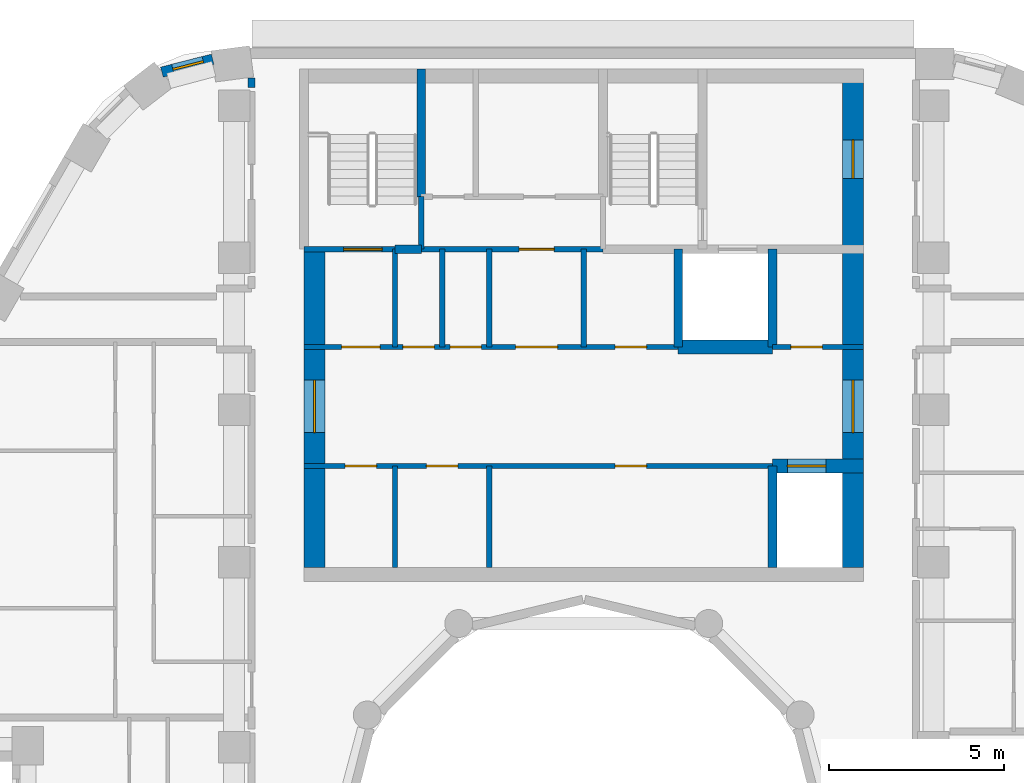
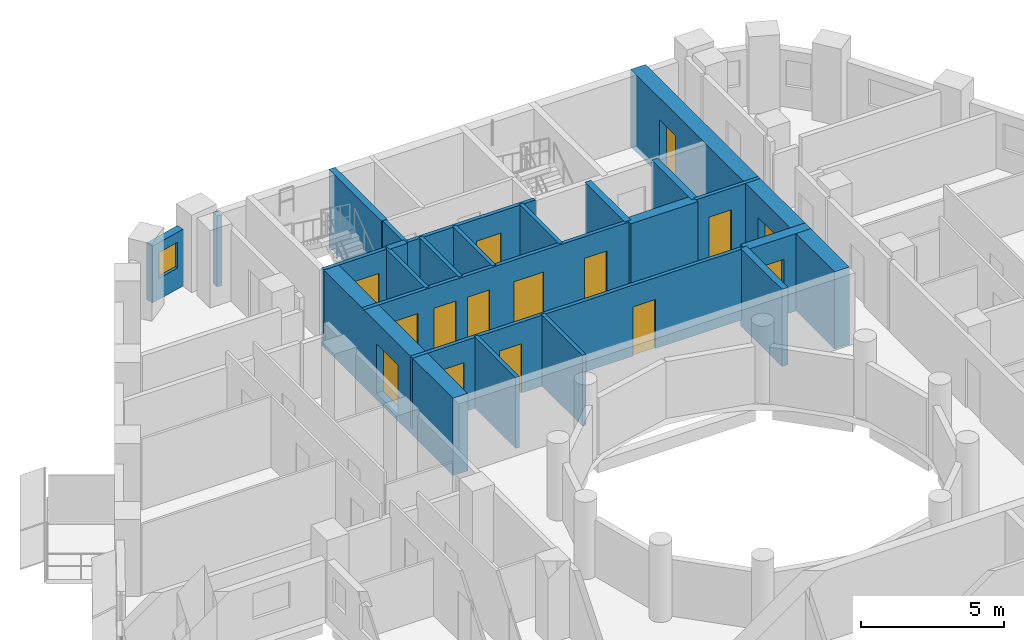
# One storey, part 7 of 14: 23 walls, 15 doors, 1 window, 16 openings.
"""IFC4 building model written with IfcOpenShell, lengths in metres."""

from ifc_helpers import new_model, si_unit, direction, frame, frame_2d, origin, place, context, subcontext, project, spatial, rectangle, extrude, material, layer, layer_set, type_object, element, fill, save


model = new_model("IFC4")

# Units and contexts
model_context = context("Model", 3, precision=1e-05, world=origin(), true_north=direction((0.0, 1.0)))
body_context = subcontext(model_context, "Body", "Model", "MODEL_VIEW")
ifc_project = project(units=[si_unit("LENGTHUNIT", "METRE"), si_unit("AREAUNIT", "SQUARE_METRE"), si_unit("VOLUMEUNIT", "CUBIC_METRE"), si_unit("PLANEANGLEUNIT", "RADIAN"), si_unit("MASSUNIT", "GRAM", prefix="KILO")], contexts=[model_context])

# Site, building, storey
site_placement = place(None, origin())
site = spatial("IfcSite", under=ifc_project, at=site_placement, CompositionType="ELEMENT")
building_placement = place(site_placement, origin())
building = spatial("IfcBuilding", under=site, at=building_placement, Name="Nakaniwa Court", CompositionType="ELEMENT")
storey_placement = place(building_placement, frame((0.0, 0.0, 259.199951171875)))
storey = spatial("IfcBuildingStorey", under=building, at=storey_placement, Name="L68", CompositionType="ELEMENT", Elevation=259.199951171875)

# Wall
ifc_material_1 = material(Name="Acoustic double stud partition")
ifc_layer_1 = layer(ifc_material_1, 0.199951171875)
ifc_layer_set_1 = layer_set([ifc_layer_1], Name="Acoustic double stud partition")
wall_type_1 = type_object("IfcWallType", Name="Acoustic double stud partition 200", PredefinedType="PARTITIONING", material=ifc_layer_set_1)
wall_1_placement = place(storey_placement, frame((70.5, 101.527099609375, 0.0), z_axis=(0.0, 0.0, 1.0), x_axis=(0.0, 1.0, 0.0)))
element("IfcWall", 1, at=wall_1_placement, inside=storey, type_object=wall_type_1, Name="Partition PW-096", PredefinedType="PARTITIONING", context=body_context, shape_type="SweptSolid", body=[
    extrude(rectangle(XDim=0.273681640625, YDim=0.199951171875, at=frame_2d((0.13671875, 0.0))), origin(), (0.0, 0.0, 1.0), 3.025146484375),
])

# Wall, opening, window
ifc_material_2 = material(Name="Charcoal ceramic cladding")
ifc_layer_2 = layer(ifc_material_2, 0.02, Name="Ceramic cladding")
ifc_material_3 = material(Name="Ventilated air cavity")
ifc_layer_3 = layer(ifc_material_3, 0.04, ventilated=True, Name="Ventilated cavity")
ifc_material_4 = material(Name="Mineral wool insulation")
ifc_layer_4 = layer(ifc_material_4, 0.1, Name="Insulation")
ifc_material_5 = material(Name="Cement bonded sheathing board")
ifc_layer_5 = layer(ifc_material_5, 0.012, Name="Sheathing")
ifc_material_6 = material(Name="Cold-formed galvanised stud frame with mineral wool infill")
ifc_layer_6 = layer(ifc_material_6, 0.1, Name="Stud frame")
ifc_material_7 = material(Name="Fire-rated gypsum plasterboard lining")
ifc_layer_7 = layer(ifc_material_7, 0.028, Name="Lining")
ifc_layer_set_2 = layer_set([ifc_layer_2, ifc_layer_3, ifc_layer_4, ifc_layer_5, ifc_layer_6, ifc_layer_7], Name="Charcoal ceramic faced external wall system")
wall_type_2 = type_object("IfcWallType", Name="Black ceramic faced external wall 300", PredefinedType="SOLIDWALL", material=ifc_layer_set_2)
wall_2_placement = place(storey_placement, frame((69.386474609375, 102.333251953125, 0.0), z_axis=(0.0, 0.0, 1.0), x_axis=(-0.968895303033, -0.247470991757, 0.0)))
wall_2 = element("IfcWall", 2, at=wall_2_placement, inside=storey, type_object=wall_type_2, Name="L68 external wall 09", PredefinedType="SOLIDWALL", context=body_context, shape_type="SweptSolid", body=[
    extrude(rectangle(XDim=1.50048828125, YDim=0.300048828125, at=frame_2d((0.750244140625, 0.0))), origin(), (0.0, 0.0, 1.0), 2.425048828125),
])
opening_1_placement = place(wall_2_placement, frame((0.27587890625, 0.0, 0.89990234375)))
opening_1 = element("IfcOpeningElement", 3, at=opening_1_placement, cuts=wall_2, Name="Opening W9.07", PredefinedType="OPENING", context=body_context, shape_type="SweptSolid", body=[
    extrude(rectangle(XDim=0.89990234375, YDim=1.10009765625, at=frame_2d((0.449951171875, 0.550048828125))), frame((0.0, 0.159912109375, 0.0), z_axis=(0.0, -1.0, 0.0), x_axis=(1.0, 0.0, 0.0)), (0.0, 0.0, 1.0), 0.320068359375),
])
ifc_material_8 = material(Name="Black anodised aluminium frame with dark low-E laminated double glazing", Category="aluminium")
window_type = type_object("IfcWindowType", Name="Dark glass window 900x1100 sill 900", PartitioningType="SINGLE_PANEL", PredefinedType="WINDOW", material=ifc_material_8)
window_placement = place(opening_1_placement, origin())
window = element("IfcWindow", 4, at=window_placement, inside=storey, type_object=window_type, Name="L68 habitable room window 09-0", OverallHeight=1.10009765625, OverallWidth=0.89990234375, PartitioningType="SINGLE_PANEL", PredefinedType="WINDOW", context=body_context, shape_type="SweptSolid", body=[
    extrude(rectangle(XDim=0.89990234375, YDim=1.10009765625, at=frame_2d((0.449951171875, 0.550048828125))), frame((0.0, 0.030029296875, 0.0), z_axis=(0.0, -1.0, 0.0), x_axis=(1.0, 0.0, 0.0)), (0.0, 0.0, 1.0), 0.06005859375),
])
fill(opening_1, window)

# Walls
ifc_material_9 = material(Name="Blockwork partition", Category="masonry")
ifc_layer_8 = layer(ifc_material_9, 0.14990234375)
ifc_layer_set_3 = layer_set([ifc_layer_8], Name="Blockwork partition")
wall_type_3 = type_object("IfcWallType", Name="Blockwork partition 150", PredefinedType="PARTITIONING", material=ifc_layer_set_3)
wall_3_placement = place(storey_placement, frame((74.60009765625, 87.800048828125, 0.0), z_axis=(0.0, 0.0, 1.0), x_axis=(0.0, 1.0, 0.0)))
element("IfcWall", 5, at=wall_3_placement, inside=storey, type_object=wall_type_3, Name="Partition PW-001", PredefinedType="PARTITIONING", context=body_context, shape_type="SweptSolid", body=[
    extrude(rectangle(XDim=2.89990234375, YDim=0.14990234375, at=frame_2d((1.449951171875, 0.0))), origin(), (0.0, 0.0, 1.0), 3.025146484375),
])
wall_4_placement = place(storey_placement, frame((74.60009765625, 94.10009765625, 0.0), z_axis=(0.0, 0.0, 1.0), x_axis=(0.0, 1.0, 0.0)))
element("IfcWall", 6, at=wall_4_placement, inside=storey, type_object=wall_type_3, Name="Partition PW-002", PredefinedType="PARTITIONING", context=body_context, shape_type="SweptSolid", body=[
    extrude(rectangle(XDim=2.7998046875, YDim=0.14990234375, at=frame_2d((1.39990234375, 0.0))), origin(), (0.0, 0.0, 1.0), 3.025146484375),
])

# Wall, openings, doors
wall_5_placement = place(storey_placement, frame((85.39990234375, 90.699951171875, 0.0), z_axis=(0.0, 0.0, 1.0), x_axis=(-1.0, 0.0, 0.0)))
wall_5 = element("IfcWall", 7, at=wall_5_placement, inside=storey, type_object=wall_type_3, Name="Partition PW-003", PredefinedType="PARTITIONING", context=body_context, shape_type="SweptSolid", body=[
    extrude(rectangle(XDim=13.39990234375, YDim=0.14990234375, at=frame_2d((6.699951171875, 0.0))), origin(), (0.0, 0.0, 1.0), 3.025146484375),
])
opening_2_placement = place(wall_5_placement, frame((11.324951171875, 0.0, 0.0)))
opening_2 = element("IfcOpeningElement", 8, at=opening_2_placement, cuts=wall_5, Name="Opening D-05-01", PredefinedType="OPENING", context=body_context, shape_type="SweptSolid", body=[
    extrude(rectangle(XDim=0.89990234375, YDim=2.10009765625, at=frame_2d((0.449951171875, 1.050048828125))), frame((0.0, 0.0849609375, 0.0), z_axis=(0.0, -1.0, 0.0), x_axis=(1.0, 0.0, 0.0)), (0.0, 0.0, 1.0), 0.169921875),
])
opening_3_placement = place(wall_5_placement, frame((9.0, 0.0, 0.0)))
opening_3 = element("IfcOpeningElement", 9, at=opening_3_placement, cuts=wall_5, Name="Opening D-05-02", PredefinedType="OPENING", context=body_context, shape_type="SweptSolid", body=[
    extrude(rectangle(XDim=0.89990234375, YDim=2.10009765625, at=frame_2d((0.449951171875, 1.050048828125))), frame((0.0, 0.0849609375, 0.0), z_axis=(0.0, -1.0, 0.0), x_axis=(1.0, 0.0, 0.0)), (0.0, 0.0, 1.0), 0.169921875),
])
opening_4_placement = place(wall_5_placement, frame((3.60009765625, 0.0, 0.0)))
opening_4 = element("IfcOpeningElement", 10, at=opening_4_placement, cuts=wall_5, Name="Opening D-05-03", PredefinedType="OPENING", context=body_context, shape_type="SweptSolid", body=[
    extrude(rectangle(XDim=0.89990234375, YDim=2.10009765625, at=frame_2d((0.449951171875, 1.050048828125))), frame((0.0, 0.0849609375, 0.0), z_axis=(0.0, -1.0, 0.0), x_axis=(1.0, 0.0, 0.0)), (0.0, 0.0, 1.0), 0.169921875),
])
ifc_material_10 = material(Name="Fire rated steel door set", Category="steel")
door_type_1 = type_object("IfcDoorType", Name="Service room door 900", OperationType="NOTDEFINED", PredefinedType="DOOR", material=ifc_material_10)
door_1_placement = place(opening_2_placement, origin())
door_1 = element("IfcDoor", 11, at=door_1_placement, inside=storey, type_object=door_type_1, Name="Door D-05-01 L68-001", OperationType="SINGLE_SWING_RIGHT", OverallHeight=2.10009765625, OverallWidth=0.89990234375, PredefinedType="DOOR", context=body_context, shape_type="SweptSolid", body=[
    extrude(rectangle(XDim=0.89990234375, YDim=2.10009765625, at=frame_2d((0.449951171875, 1.050048828125))), frame((0.0, 0.02490234375, 0.0), z_axis=(0.0, -1.0, 0.0), x_axis=(1.0, 0.0, 0.0)), (0.0, 0.0, 1.0), 0.050048828125),
])
fill(opening_2, door_1)
door_2_placement = place(opening_3_placement, origin())
door_2 = element("IfcDoor", 12, at=door_2_placement, inside=storey, type_object=door_type_1, Name="Door D-05-02 L68-002", OperationType="SINGLE_SWING_LEFT", OverallHeight=2.10009765625, OverallWidth=0.89990234375, PredefinedType="DOOR", context=body_context, shape_type="SweptSolid", body=[
    extrude(rectangle(XDim=0.89990234375, YDim=2.10009765625, at=frame_2d((0.449951171875, 1.050048828125))), frame((0.0, 0.02490234375, 0.0), z_axis=(0.0, -1.0, 0.0), x_axis=(1.0, 0.0, 0.0)), (0.0, 0.0, 1.0), 0.050048828125),
])
fill(opening_3, door_2)
door_3_placement = place(opening_4_placement, origin())
door_3 = element("IfcDoor", 13, at=door_3_placement, inside=storey, type_object=door_type_1, Name="Door D-05-03 L68-003", OperationType="SINGLE_SWING_RIGHT", OverallHeight=2.10009765625, OverallWidth=0.89990234375, PredefinedType="DOOR", context=body_context, shape_type="SweptSolid", body=[
    extrude(rectangle(XDim=0.89990234375, YDim=2.10009765625, at=frame_2d((0.449951171875, 1.050048828125))), frame((0.0, 0.02490234375, 0.0), z_axis=(0.0, -1.0, 0.0), x_axis=(1.0, 0.0, 0.0)), (0.0, 0.0, 1.0), 0.050048828125),
])
fill(opening_4, door_3)

# Walls
wall_6_placement = place(storey_placement, frame((77.300048828125, 87.800048828125, 0.0), z_axis=(0.0, 0.0, 1.0), x_axis=(0.0, 1.0, 0.0)))
element("IfcWall", 14, at=wall_6_placement, inside=storey, type_object=wall_type_3, Name="Partition PW-009", PredefinedType="PARTITIONING", context=body_context, shape_type="SweptSolid", body=[
    extrude(rectangle(XDim=2.89990234375, YDim=0.14990234375, at=frame_2d((1.449951171875, 0.0))), origin(), (0.0, 0.0, 1.0), 3.025146484375),
])
wall_7_placement = place(storey_placement, frame((77.300048828125, 94.10009765625, 0.0), z_axis=(0.0, 0.0, 1.0), x_axis=(0.0, 1.0, 0.0)))
element("IfcWall", 15, at=wall_7_placement, inside=storey, type_object=wall_type_3, Name="Partition PW-010", PredefinedType="PARTITIONING", context=body_context, shape_type="SweptSolid", body=[
    extrude(rectangle(XDim=2.7998046875, YDim=0.14990234375, at=frame_2d((1.39990234375, 0.0))), origin(), (0.0, 0.0, 1.0), 3.025146484375),
])

# Wall, openings, doors
wall_8_placement = place(storey_placement, frame((72.0, 94.10009765625, 0.0), z_axis=(0.0, 0.0, 1.0), x_axis=(1.0, 0.0, 0.0)))
wall_8 = element("IfcWall", 16, at=wall_8_placement, inside=storey, type_object=wall_type_3, Name="Partition PW-011", PredefinedType="PARTITIONING", context=body_context, shape_type="SweptSolid", body=[
    extrude(rectangle(XDim=10.702880859375, YDim=0.14990234375, at=frame_2d((5.3515625, 0.0))), origin(), (0.0, 0.0, 1.0), 3.025146484375),
])
opening_5_placement = place(wall_8_placement, frame((1.074951171875, 0.0, 0.0)))
opening_5 = element("IfcOpeningElement", 17, at=opening_5_placement, cuts=wall_8, Name="Opening D-08-01", PredefinedType="OPENING", context=body_context, shape_type="SweptSolid", body=[
    extrude(rectangle(XDim=1.10009765625, YDim=2.10009765625, at=frame_2d((0.550048828125, 1.050048828125))), frame((0.0, 0.0849609375, 0.0), z_axis=(0.0, -1.0, 0.0), x_axis=(1.0, 0.0, 0.0)), (0.0, 0.0, 1.0), 0.169921875),
])
opening_6_placement = place(wall_8_placement, frame((2.824951171875, 0.0, 0.0)))
opening_6 = element("IfcOpeningElement", 18, at=opening_6_placement, cuts=wall_8, Name="Opening D-05-04", PredefinedType="OPENING", context=body_context, shape_type="SweptSolid", body=[
    extrude(rectangle(XDim=0.89990234375, YDim=2.10009765625, at=frame_2d((0.449951171875, 1.050048828125))), frame((0.0, 0.0849609375, 0.0), z_axis=(0.0, -1.0, 0.0), x_axis=(1.0, 0.0, 0.0)), (0.0, 0.0, 1.0), 0.169921875),
])
opening_7_placement = place(wall_8_placement, frame((4.175048828125, 0.0, 0.0)))
opening_7 = element("IfcOpeningElement", 19, at=opening_7_placement, cuts=wall_8, Name="Opening D-05-05", PredefinedType="OPENING", context=body_context, shape_type="SweptSolid", body=[
    extrude(rectangle(XDim=0.89990234375, YDim=2.10009765625, at=frame_2d((0.449951171875, 1.050048828125))), frame((0.0, 0.0849609375, 0.0), z_axis=(0.0, -1.0, 0.0), x_axis=(1.0, 0.0, 0.0)), (0.0, 0.0, 1.0), 0.169921875),
])
opening_8_placement = place(wall_8_placement, frame((6.050048828125, 0.0, 0.0)))
opening_8 = element("IfcOpeningElement", 20, at=opening_8_placement, cuts=wall_8, Name="Opening D-06-01", PredefinedType="OPENING", context=body_context, shape_type="SweptSolid", body=[
    extrude(rectangle(XDim=1.199951171875, YDim=2.10009765625, at=frame_2d((0.60009765625, 1.050048828125))), frame((0.0, 0.0849609375, 0.0), z_axis=(0.0, -1.0, 0.0), x_axis=(1.0, 0.0, 0.0)), (0.0, 0.0, 1.0), 0.169921875),
])
opening_9_placement = place(wall_8_placement, frame((8.89990234375, 0.0, 0.0)))
opening_9 = element("IfcOpeningElement", 21, at=opening_9_placement, cuts=wall_8, Name="Opening D-05-06", PredefinedType="OPENING", context=body_context, shape_type="SweptSolid", body=[
    extrude(rectangle(XDim=0.89990234375, YDim=2.10009765625, at=frame_2d((0.449951171875, 1.050048828125))), frame((0.0, 0.0849609375, 0.0), z_axis=(0.0, -1.0, 0.0), x_axis=(1.0, 0.0, 0.0)), (0.0, 0.0, 1.0), 0.169921875),
])
ifc_material_11 = material(Name="Fire rated steel double door set", Category="steel")
door_type_2 = type_object("IfcDoorType", Name="Service passage double door 1200", OperationType="NOTDEFINED", PredefinedType="DOOR", material=ifc_material_11)
door_4_placement = place(opening_8_placement, origin())
door_4 = element("IfcDoor", 22, at=door_4_placement, inside=storey, type_object=door_type_2, Name="Door D-06-01 L68-007", OperationType="DOUBLE_DOOR_SINGLE_SWING", OverallHeight=2.10009765625, OverallWidth=1.199951171875, PredefinedType="DOOR", context=body_context, shape_type="SweptSolid", body=[
    extrude(rectangle(XDim=1.199951171875, YDim=2.10009765625, at=frame_2d((0.60009765625, 1.050048828125))), frame((0.0, 0.02490234375, 0.0), z_axis=(0.0, -1.0, 0.0), x_axis=(1.0, 0.0, 0.0)), (0.0, 0.0, 1.0), 0.050048828125),
])
fill(opening_8, door_4)
door_5_placement = place(opening_6_placement, origin())
door_5 = element("IfcDoor", 23, at=door_5_placement, inside=storey, type_object=door_type_1, Name="Door D-05-04 L68-005", OperationType="SINGLE_SWING_RIGHT", OverallHeight=2.10009765625, OverallWidth=0.89990234375, PredefinedType="DOOR", context=body_context, shape_type="SweptSolid", body=[
    extrude(rectangle(XDim=0.89990234375, YDim=2.10009765625, at=frame_2d((0.449951171875, 1.050048828125))), frame((0.0, 0.02490234375, 0.0), z_axis=(0.0, -1.0, 0.0), x_axis=(1.0, 0.0, 0.0)), (0.0, 0.0, 1.0), 0.050048828125),
])
fill(opening_6, door_5)
door_6_placement = place(opening_7_placement, origin())
door_6 = element("IfcDoor", 24, at=door_6_placement, inside=storey, type_object=door_type_1, Name="Door D-05-05 L68-006", OperationType="SINGLE_SWING_LEFT", OverallHeight=2.10009765625, OverallWidth=0.89990234375, PredefinedType="DOOR", context=body_context, shape_type="SweptSolid", body=[
    extrude(rectangle(XDim=0.89990234375, YDim=2.10009765625, at=frame_2d((0.449951171875, 1.050048828125))), frame((0.0, 0.02490234375, 0.0), z_axis=(0.0, -1.0, 0.0), x_axis=(1.0, 0.0, 0.0)), (0.0, 0.0, 1.0), 0.050048828125),
])
fill(opening_7, door_6)
door_7_placement = place(opening_9_placement, origin())
door_7 = element("IfcDoor", 25, at=door_7_placement, inside=storey, type_object=door_type_1, Name="Door D-05-06 L68-008", OperationType="SINGLE_SWING_LEFT", OverallHeight=2.10009765625, OverallWidth=0.89990234375, PredefinedType="DOOR", context=body_context, shape_type="SweptSolid", body=[
    extrude(rectangle(XDim=0.89990234375, YDim=2.10009765625, at=frame_2d((0.449951171875, 1.050048828125))), frame((0.0, 0.02490234375, 0.0), z_axis=(0.0, -1.0, 0.0), x_axis=(1.0, 0.0, 0.0)), (0.0, 0.0, 1.0), 0.050048828125),
])
fill(opening_9, door_7)
door_type_3 = type_object("IfcDoorType", Name="Stair lobby door 1100", OperationType="NOTDEFINED", PredefinedType="DOOR", material=ifc_material_10)
door_8_placement = place(opening_5_placement, origin())
door_8 = element("IfcDoor", 26, at=door_8_placement, inside=storey, type_object=door_type_3, Name="Door D-08-01 L68-004", OperationType="SINGLE_SWING_LEFT", OverallHeight=2.10009765625, OverallWidth=1.10009765625, PredefinedType="DOOR", context=body_context, shape_type="SweptSolid", body=[
    extrude(rectangle(XDim=1.10009765625, YDim=2.10009765625, at=frame_2d((0.550048828125, 1.050048828125))), frame((0.0, 0.02490234375, 0.0), z_axis=(0.0, -1.0, 0.0), x_axis=(1.0, 0.0, 0.0)), (0.0, 0.0, 1.0), 0.050048828125),
])
fill(opening_5, door_8)

# Wall, opening, door
wall_9_placement = place(storey_placement, frame((85.39697265625, 94.10009765625, 0.0), z_axis=(0.0, 0.0, 1.0), x_axis=(1.0, 0.0, 0.0)))
wall_9 = element("IfcWall", 27, at=wall_9_placement, inside=storey, type_object=wall_type_3, Name="Partition PW-012", PredefinedType="PARTITIONING", context=body_context, shape_type="SweptSolid", body=[
    extrude(rectangle(XDim=2.60302734375, YDim=0.14990234375, at=frame_2d((1.301513671875, 0.0))), origin(), (0.0, 0.0, 1.0), 3.025146484375),
])
opening_10_placement = place(wall_9_placement, frame((0.528076171875, 0.0, 0.0)))
opening_10 = element("IfcOpeningElement", 28, at=opening_10_placement, cuts=wall_9, Name="Opening D-05-07", PredefinedType="OPENING", context=body_context, shape_type="SweptSolid", body=[
    extrude(rectangle(XDim=0.89990234375, YDim=2.10009765625, at=frame_2d((0.449951171875, 1.050048828125))), frame((0.0, 0.0849609375, 0.0), z_axis=(0.0, -1.0, 0.0), x_axis=(1.0, 0.0, 0.0)), (0.0, 0.0, 1.0), 0.169921875),
])
door_9_placement = place(opening_10_placement, origin())
door_9 = element("IfcDoor", 29, at=door_9_placement, inside=storey, type_object=door_type_1, Name="Door D-05-07 L68-009", OperationType="SINGLE_SWING_RIGHT", OverallHeight=2.10009765625, OverallWidth=0.89990234375, PredefinedType="DOOR", context=body_context, shape_type="SweptSolid", body=[
    extrude(rectangle(XDim=0.89990234375, YDim=2.10009765625, at=frame_2d((0.449951171875, 1.050048828125))), frame((0.0, 0.02490234375, 0.0), z_axis=(0.0, -1.0, 0.0), x_axis=(1.0, 0.0, 0.0)), (0.0, 0.0, 1.0), 0.050048828125),
])
fill(opening_10, door_9)

# Wall
wall_10_placement = place(storey_placement, frame((75.949951171875, 94.10009765625, 0.0), z_axis=(0.0, 0.0, 1.0), x_axis=(0.0, 1.0, 0.0)))
element("IfcWall", 30, at=wall_10_placement, inside=storey, type_object=wall_type_3, Name="Partition PW-015", PredefinedType="PARTITIONING", context=body_context, shape_type="SweptSolid", body=[
    extrude(rectangle(XDim=2.7998046875, YDim=0.14990234375, at=frame_2d((1.39990234375, 0.0))), origin(), (0.0, 0.0, 1.0), 3.025146484375),
])

# Wall, opening, door
wall_11_placement = place(storey_placement, frame((75.346923828125, 96.89990234375, 0.0), z_axis=(0.0, 0.0, 1.0), x_axis=(1.0, 0.0, 0.0)))
wall_11 = element("IfcWall", 31, at=wall_11_placement, inside=storey, type_object=wall_type_3, Name="Partition PW-018", PredefinedType="PARTITIONING", context=body_context, shape_type="SweptSolid", body=[
    extrude(rectangle(XDim=5.2060546875, YDim=0.14990234375, at=frame_2d((2.60302734375, 0.0))), origin(), (0.0, 0.0, 1.0), 3.025146484375),
])
opening_11_placement = place(wall_11_placement, frame((2.802978515625, 0.0, 0.0)))
opening_11 = element("IfcOpeningElement", 32, at=opening_11_placement, cuts=wall_11, Name="Opening D-23-01", PredefinedType="OPENING", context=body_context, shape_type="SweptSolid", body=[
    extrude(rectangle(XDim=1.0, YDim=2.10009765625, at=frame_2d((0.5, 1.050048828125))), frame((0.0, 0.0849609375, 0.0), z_axis=(0.0, -1.0, 0.0), x_axis=(1.0, 0.0, 0.0)), (0.0, 0.0, 1.0), 0.169921875),
])
door_type_4 = type_object("IfcDoorType", Name="Service room door 1000", OperationType="NOTDEFINED", PredefinedType="DOOR", material=ifc_material_10)
door_10_placement = place(opening_11_placement, origin())
door_10 = element("IfcDoor", 33, at=door_10_placement, inside=storey, type_object=door_type_4, Name="Door D-23-01 L68-010", OperationType="SINGLE_SWING_LEFT", OverallHeight=2.10009765625, OverallWidth=1.0, PredefinedType="DOOR", context=body_context, shape_type="SweptSolid", body=[
    extrude(rectangle(XDim=1.0, YDim=2.10009765625, at=frame_2d((0.5, 1.050048828125))), frame((0.0, 0.02490234375, 0.0), z_axis=(0.0, -1.0, 0.0), x_axis=(1.0, 0.0, 0.0)), (0.0, 0.0, 1.0), 0.050048828125),
])
fill(opening_11, door_10)

# Wall
wall_12_placement = place(storey_placement, frame((80.0, 94.10009765625, 0.0), z_axis=(0.0, 0.0, 1.0), x_axis=(0.0, 1.0, 0.0)))
element("IfcWall", 34, at=wall_12_placement, inside=storey, type_object=wall_type_3, Name="Partition PW-019", PredefinedType="PARTITIONING", context=body_context, shape_type="SweptSolid", body=[
    extrude(rectangle(XDim=2.7998046875, YDim=0.14990234375, at=frame_2d((1.39990234375, 0.0))), origin(), (0.0, 0.0, 1.0), 3.025146484375),
])

# Wall, opening, door
ifc_material_12 = material(Name="Concrete C80/100", Category="concrete")
ifc_layer_9 = layer(ifc_material_12, 0.60009765625)
ifc_layer_set_4 = layer_set([ifc_layer_9], Name="Concrete C80/100")
wall_type_4 = type_object("IfcWallType", Name="Concrete core side wall 600 C80", PredefinedType="SHEAR", material=ifc_layer_set_4)
wall_13_placement = place(storey_placement, frame((72.300048828125, 87.800048828125, -0.27490234375), z_axis=(0.0, 0.0, 1.0), x_axis=(0.0, 1.0, 0.0)))
wall_13 = element("IfcWall", 35, at=wall_13_placement, inside=storey, type_object=wall_type_4, Name="Core wall SW-04", PredefinedType="SHEAR", context=body_context, shape_type="SweptSolid", body=[
    extrude(rectangle(XDim=9.099853515625, YDim=0.60009765625, at=frame_2d((4.5498046875, 0.0))), origin(), (0.0, 0.0, 1.0), 3.300048828125),
])
opening_12_placement = place(wall_13_placement, frame((3.85009765625, 0.0, 0.27490234375)))
opening_12 = element("IfcOpeningElement", 36, at=opening_12_placement, cuts=wall_13, Name="Opening D-07-02", PredefinedType="OPENING", context=body_context, shape_type="SweptSolid", body=[
    extrude(rectangle(XDim=1.5, YDim=2.10009765625, at=frame_2d((0.75, 1.050048828125))), frame((0.0, 0.31005859375, 0.0), z_axis=(0.0, -1.0, 0.0), x_axis=(1.0, 0.0, 0.0)), (0.0, 0.0, 1.0), 0.6201171875),
])
ifc_material_13 = material(Name="Glazed fire rated steel double door set", Category="steel")
door_type_5 = type_object("IfcDoorType", Name="Lobby double door 1500", OperationType="NOTDEFINED", PredefinedType="DOOR", material=ifc_material_13)
door_11_placement = place(opening_12_placement, origin())
door_11 = element("IfcDoor", 37, at=door_11_placement, inside=storey, type_object=door_type_5, Name="Door D-07-02 L68-060", OperationType="DOUBLE_DOOR_SINGLE_SWING", OverallHeight=2.10009765625, OverallWidth=1.5, PredefinedType="DOOR", context=body_context, shape_type="SweptSolid", body=[
    extrude(rectangle(XDim=1.5, YDim=2.10009765625, at=frame_2d((0.75, 1.050048828125))), frame((0.0, 0.02490234375, 0.0), z_axis=(0.0, -1.0, 0.0), x_axis=(1.0, 0.0, 0.0)), (0.0, 0.0, 1.0), 0.050048828125),
])
fill(opening_12, door_11)

# Wall, openings, doors
wall_14_placement = place(storey_placement, frame((87.699951171875, 102.050048828125, -0.27490234375), z_axis=(0.0, 0.0, 1.0), x_axis=(0.0, -1.0, 0.0)))
wall_14 = element("IfcWall", 38, at=wall_14_placement, inside=storey, type_object=wall_type_4, Name="Core wall SW-08", PredefinedType="SHEAR", context=body_context, shape_type="SweptSolid", body=[
    extrude(rectangle(XDim=14.25, YDim=0.60009765625, at=frame_2d((7.125, 0.0))), origin(), (0.0, 0.0, 1.0), 3.300048828125),
])
opening_13_placement = place(wall_14_placement, frame((8.89990234375, 0.0, 0.27490234375)))
opening_13 = element("IfcOpeningElement", 39, at=opening_13_placement, cuts=wall_14, Name="Opening D-07-01", PredefinedType="OPENING", context=body_context, shape_type="SweptSolid", body=[
    extrude(rectangle(XDim=1.5, YDim=2.10009765625, at=frame_2d((0.75, 1.050048828125))), frame((0.0, 0.31005859375, 0.0), z_axis=(0.0, -1.0, 0.0), x_axis=(1.0, 0.0, 0.0)), (0.0, 0.0, 1.0), 0.6201171875),
])
opening_14_placement = place(wall_14_placement, frame((2.02490234375, 0.0, 0.27490234375)))
opening_14 = element("IfcOpeningElement", 40, at=opening_14_placement, cuts=wall_14, Name="Opening D-10-01", PredefinedType="OPENING", context=body_context, shape_type="SweptSolid", body=[
    extrude(rectangle(XDim=1.10009765625, YDim=2.10009765625, at=frame_2d((0.550048828125, 1.050048828125))), frame((0.0, 0.31005859375, 0.0), z_axis=(0.0, -1.0, 0.0), x_axis=(1.0, 0.0, 0.0)), (0.0, 0.0, 1.0), 0.6201171875),
])
door_type_6 = type_object("IfcDoorType", Name="Firefighting lobby door 1100", OperationType="NOTDEFINED", PredefinedType="DOOR", material=ifc_material_10)
door_12_placement = place(opening_14_placement, origin())
door_12 = element("IfcDoor", 41, at=door_12_placement, inside=storey, type_object=door_type_6, Name="Door D-10-01 L68-061", OperationType="SINGLE_SWING_RIGHT", OverallHeight=2.10009765625, OverallWidth=1.10009765625, PredefinedType="DOOR", context=body_context, shape_type="SweptSolid", body=[
    extrude(rectangle(XDim=1.10009765625, YDim=2.10009765625, at=frame_2d((0.550048828125, 1.050048828125))), frame((0.0, 0.02490234375, 0.0), z_axis=(0.0, -1.0, 0.0), x_axis=(1.0, 0.0, 0.0)), (0.0, 0.0, 1.0), 0.050048828125),
])
fill(opening_14, door_12)
door_13_placement = place(opening_13_placement, origin())
door_13 = element("IfcDoor", 42, at=door_13_placement, inside=storey, type_object=door_type_5, Name="Door D-07-01 L68-059", OperationType="DOUBLE_DOOR_SINGLE_SWING", OverallHeight=2.10009765625, OverallWidth=1.5, PredefinedType="DOOR", context=body_context, shape_type="SweptSolid", body=[
    extrude(rectangle(XDim=1.5, YDim=2.10009765625, at=frame_2d((0.75, 1.050048828125))), frame((0.0, 0.02490234375, 0.0), z_axis=(0.0, -1.0, 0.0), x_axis=(1.0, 0.0, 0.0)), (0.0, 0.0, 1.0), 0.050048828125),
])
fill(opening_13, door_13)

# Wall, opening, door
ifc_layer_10 = layer(ifc_material_12, 0.39990234375)
ifc_layer_set_5 = layer_set([ifc_layer_10], Name="Concrete C80/100")
wall_type_5 = type_object("IfcWallType", Name="Concrete core spine wall 400 C80", PredefinedType="SHEAR", material=ifc_layer_set_5)
wall_15_placement = place(storey_placement, frame((85.39990234375, 90.699951171875, -0.27490234375), z_axis=(0.0, 0.0, 1.0), x_axis=(1.0, 0.0, 0.0)))
wall_15 = element("IfcWall", 43, at=wall_15_placement, inside=storey, type_object=wall_type_5, Name="Core wall SW-07", PredefinedType="SHEAR", context=body_context, shape_type="SweptSolid", body=[
    extrude(rectangle(XDim=2.60009765625, YDim=0.39990234375, at=frame_2d((1.300048828125, 0.0))), origin(), (0.0, 0.0, 1.0), 3.300048828125),
])
opening_15_placement = place(wall_15_placement, frame((0.425048828125, 0.0, 0.27490234375)))
opening_15 = element("IfcOpeningElement", 44, at=opening_15_placement, cuts=wall_15, Name="Opening LD01", PredefinedType="OPENING", context=body_context, shape_type="SweptSolid", body=[
    extrude(rectangle(XDim=1.10009765625, YDim=2.10009765625, at=frame_2d((0.550048828125, 1.050048828125))), frame((0.0, 0.2099609375, 0.0), z_axis=(0.0, -1.0, 0.0), x_axis=(1.0, 0.0, 0.0)), (0.0, 0.0, 1.0), 0.419921875),
])
ifc_material_14 = material(Name="Stainless steel sliding lift landing door", Category="steel")
door_type_7 = type_object("IfcDoorType", Name="Lift landing door 1100", OperationType="NOTDEFINED", PredefinedType="DOOR", material=ifc_material_14)
door_14_placement = place(opening_15_placement, origin())
door_14 = element("IfcDoor", 45, at=door_14_placement, inside=storey, type_object=door_type_7, Name="Lift landing door LD01 L68-001", OperationType="SLIDING_TO_LEFT", OverallHeight=2.10009765625, OverallWidth=1.10009765625, PredefinedType="DOOR", context=body_context, shape_type="SweptSolid", body=[
    extrude(rectangle(XDim=1.10009765625, YDim=2.10009765625, at=frame_2d((0.550048828125, 1.050048828125))), frame((0.0, 0.02490234375, 0.0), z_axis=(0.0, -1.0, 0.0), x_axis=(1.0, 0.0, 0.0)), (0.0, 0.0, 1.0), 0.050048828125),
])
fill(opening_15, door_14)

# Wall
wall_16_placement = place(storey_placement, frame((82.697021484375, 94.10009765625, -0.27490234375), z_axis=(0.0, 0.0, 1.0), x_axis=(1.0, 0.0, 0.0)))
element("IfcWall", 46, at=wall_16_placement, inside=storey, type_object=wall_type_5, Name="Core wall SW-13", PredefinedType="SHEAR", context=body_context, shape_type="SweptSolid", body=[
    extrude(rectangle(XDim=2.7060546875, YDim=0.39990234375, at=frame_2d((1.35302734375, 0.0))), origin(), (0.0, 0.0, 1.0), 3.300048828125),
])

# Wall, opening, door
ifc_layer_11 = layer(ifc_material_12, 0.14990234375)
ifc_layer_set_6 = layer_set([ifc_layer_11], Name="Concrete C80/100")
wall_type_6 = type_object("IfcWallType", Name="Concrete core wall 150 C80", PredefinedType="SHEAR", material=ifc_layer_set_6)
wall_17_placement = place(storey_placement, frame((74.60009765625, 96.89990234375, -0.27490234375), z_axis=(0.0, 0.0, 1.0), x_axis=(-1.0, 0.0, 0.0)))
wall_17 = element("IfcWall", 47, at=wall_17_placement, inside=storey, type_object=wall_type_6, Name="Core wall SW-14", PredefinedType="SHEAR", context=body_context, shape_type="SweptSolid", body=[
    extrude(rectangle(XDim=2.60009765625, YDim=0.14990234375, at=frame_2d((1.300048828125, 0.0))), origin(), (0.0, 0.0, 1.0), 3.300048828125),
])
opening_16_placement = place(wall_17_placement, frame((0.3701171875, 0.0, 0.27490234375)))
opening_16 = element("IfcOpeningElement", 48, at=opening_16_placement, cuts=wall_17, Name="Opening D-09-01", PredefinedType="OPENING", context=body_context, shape_type="SweptSolid", body=[
    extrude(rectangle(XDim=1.10009765625, YDim=2.10009765625, at=frame_2d((0.550048828125, 1.050048828125))), frame((0.0, 0.0849609375, 0.0), z_axis=(0.0, -1.0, 0.0), x_axis=(1.0, 0.0, 0.0)), (0.0, 0.0, 1.0), 0.169921875),
])
door_type_8 = type_object("IfcDoorType", Name="Stair door 1100", OperationType="NOTDEFINED", PredefinedType="DOOR", material=ifc_material_10)
door_15_placement = place(opening_16_placement, origin())
door_15 = element("IfcDoor", 49, at=door_15_placement, inside=storey, type_object=door_type_8, Name="Door D-09-01 L68-013", OperationType="SINGLE_SWING_LEFT", OverallHeight=2.10009765625, OverallWidth=1.10009765625, PredefinedType="DOOR", context=body_context, shape_type="SweptSolid", body=[
    extrude(rectangle(XDim=1.10009765625, YDim=2.10009765625, at=frame_2d((0.550048828125, 1.050048828125))), frame((0.0, 0.02490234375, 0.0), z_axis=(0.0, -1.0, 0.0), x_axis=(1.0, 0.0, 0.0)), (0.0, 0.0, 1.0), 0.050048828125),
])
fill(opening_16, door_15)

# Walls
wall_18_placement = place(storey_placement, frame((75.35009765625, 96.89990234375, -0.27490234375), z_axis=(0.0, 0.0, 1.0), x_axis=(0.0, 1.0, 0.0)))
element("IfcWall", 50, at=wall_18_placement, inside=storey, type_object=wall_type_6, Name="Core wall SW-21", PredefinedType="SHEAR", context=body_context, shape_type="SweptSolid", body=[
    extrude(rectangle(XDim=1.503173828125, YDim=0.14990234375, at=frame_2d((0.75146484375, 0.0))), origin(), (0.0, 0.0, 1.0), 3.300048828125),
])
ifc_layer_12 = layer(ifc_material_12, 0.25)
ifc_layer_set_7 = layer_set([ifc_layer_12], Name="Concrete C80/100")
wall_type_7 = type_object("IfcWallType", Name="Concrete shaft wall 250 C80", PredefinedType="SHEAR", material=ifc_layer_set_7)
wall_19_placement = place(storey_placement, frame((85.39990234375, 87.800048828125, -0.27490234375), z_axis=(0.0, 0.0, 1.0), x_axis=(0.0, 1.0, 0.0)))
element("IfcWall", 51, at=wall_19_placement, inside=storey, type_object=wall_type_7, Name="Core wall SW-05", PredefinedType="SHEAR", context=body_context, shape_type="SweptSolid", body=[
    extrude(rectangle(XDim=2.89990234375, YDim=0.25, at=frame_2d((1.449951171875, 0.0))), origin(), (0.0, 0.0, 1.0), 3.300048828125),
])
wall_20_placement = place(storey_placement, frame((85.39990234375, 94.10009765625, -0.27490234375), z_axis=(0.0, 0.0, 1.0), x_axis=(0.0, 1.0, 0.0)))
element("IfcWall", 52, at=wall_20_placement, inside=storey, type_object=wall_type_7, Name="Core wall SW-06", PredefinedType="SHEAR", context=body_context, shape_type="SweptSolid", body=[
    extrude(rectangle(XDim=2.7998046875, YDim=0.25, at=frame_2d((1.39990234375, 0.0))), origin(), (0.0, 0.0, 1.0), 3.300048828125),
])
wall_21_placement = place(storey_placement, frame((74.60009765625, 96.89990234375, -0.27490234375), z_axis=(0.0, 0.0, 1.0), x_axis=(1.0, 0.0, 0.0)))
element("IfcWall", 53, at=wall_21_placement, inside=storey, type_object=wall_type_7, Name="Core wall SW-16", PredefinedType="SHEAR", context=body_context, shape_type="SweptSolid", body=[
    extrude(rectangle(XDim=0.7529296875, YDim=0.25, at=frame_2d((0.37646484375, 0.0))), origin(), (0.0, 0.0, 1.0), 3.300048828125),
])
wall_22_placement = place(storey_placement, frame((82.699951171875, 94.10009765625, -0.27490234375), z_axis=(0.0, 0.0, 1.0), x_axis=(0.0, 1.0, 0.0)))
element("IfcWall", 54, at=wall_22_placement, inside=storey, type_object=wall_type_7, Name="Core wall SW-20", PredefinedType="SHEAR", context=body_context, shape_type="SweptSolid", body=[
    extrude(rectangle(XDim=2.7998046875, YDim=0.25, at=frame_2d((1.39990234375, 0.0))), origin(), (0.0, 0.0, 1.0), 3.300048828125),
])
wall_23_placement = place(storey_placement, frame((75.35009765625, 98.39697265625, -0.27490234375), z_axis=(0.0, 0.0, 1.0), x_axis=(0.0, 1.0, 0.0)))
element("IfcWall", 55, at=wall_23_placement, inside=storey, type_object=wall_type_7, Name="Core wall SW-22", PredefinedType="SHEAR", context=body_context, shape_type="SweptSolid", body=[
    extrude(rectangle(XDim=3.653076171875, YDim=0.25, at=frame_2d((1.82666015625, 0.0))), origin(), (0.0, 0.0, 1.0), 3.300048828125),
])

save(model, "model.ifc")
